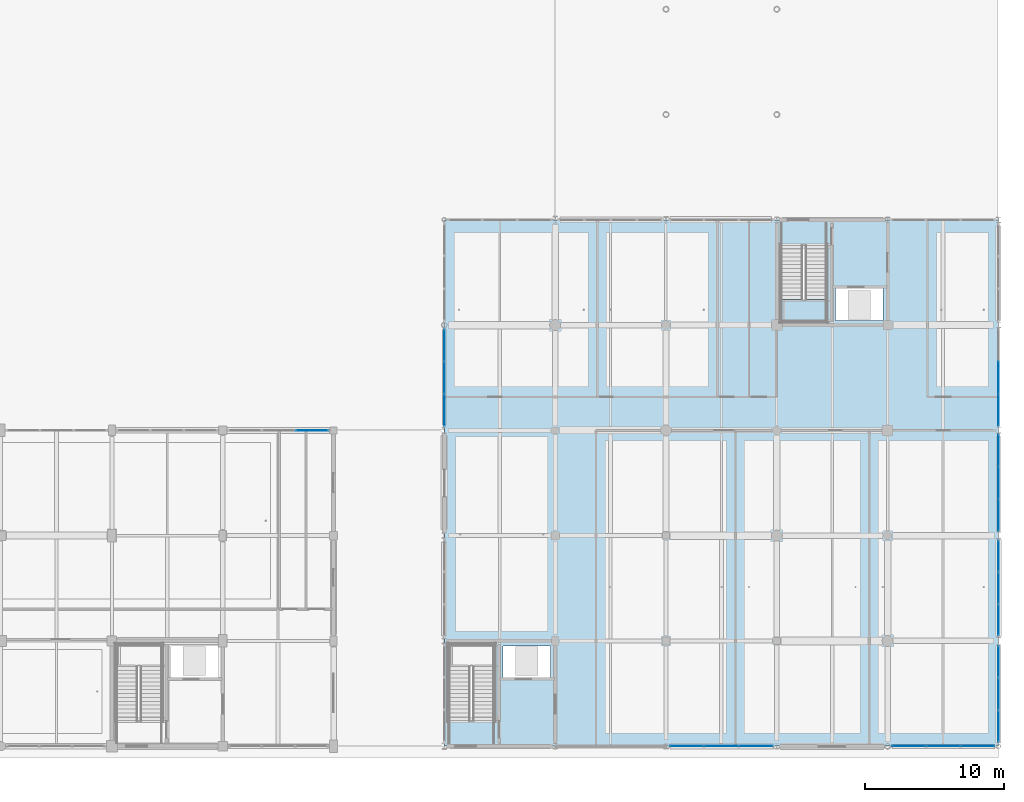
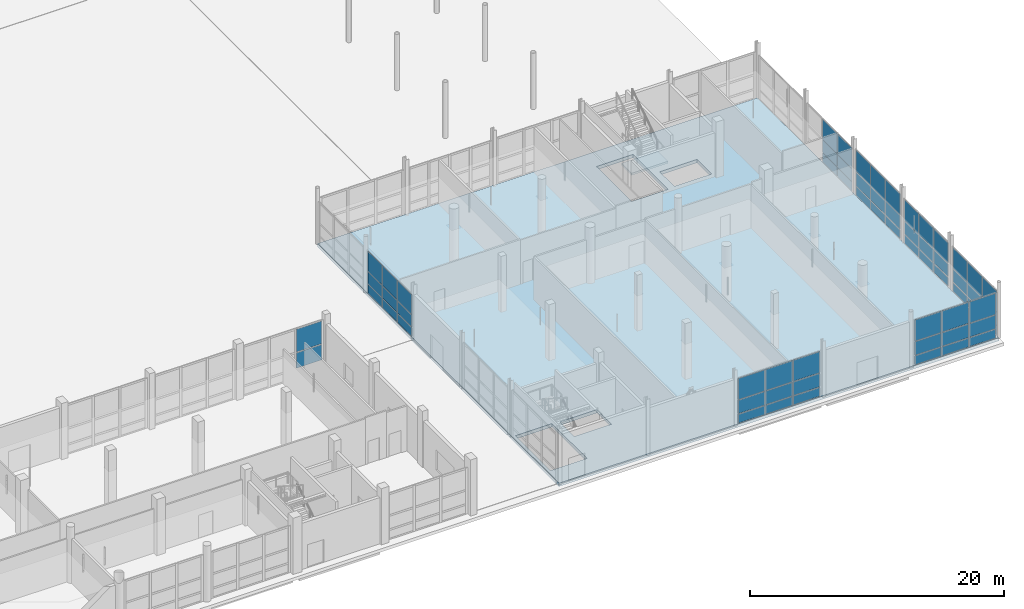
# One storey, part 52 of 126: 62 plates, 2 slabs, 9 elements without a shape of their own.
"""IFC4 building model written with IfcOpenShell, lengths in metres."""

from ifc_helpers import new_model, si_unit, direction, frame, origin, origin_2d, place, context, subcontext, project, spatial, polyline, rectangle, outline, extrude, material, layer, layer_set, type_object, element, aggregate, save


model = new_model("IFC4")

# Units and contexts
model_context = context("Model", 3, precision=1e-05, world=origin(), true_north=direction((0.0, 1.0)))
body_context = subcontext(model_context, "Body", "Model", "MODEL_VIEW")
ifc_project = project(units=[si_unit("LENGTHUNIT", "METRE"), si_unit("AREAUNIT", "SQUARE_METRE"), si_unit("VOLUMEUNIT", "CUBIC_METRE"), si_unit("PLANEANGLEUNIT", "RADIAN"), si_unit("MASSUNIT", "GRAM", prefix="KILO")], contexts=[model_context])

# Site, building, storey
site_placement = place(None, origin())
site = spatial("IfcSite", under=ifc_project, at=site_placement, CompositionType="ELEMENT")
building_placement = place(site_placement, origin())
building = spatial("IfcBuilding", under=site, at=building_placement, Name="Khelvaren Railside Concert Hall", CompositionType="ELEMENT")
storey_placement = place(building_placement, origin())
storey = spatial("IfcBuildingStorey", under=building, at=storey_placement, Name="L00", CompositionType="ELEMENT", Elevation=0.0)

# Curtain wall, plates
ifc_material_1 = material(Name="Triple-glazed solar-control glass", Category="glass")
curtain_wall_type_1 = type_object("IfcCurtainWallType", Name="CW88", PredefinedType="USERDEFINED", material=ifc_material_1)
curtain_wall_1_placement = place(storey_placement, origin())
curtain_wall_1 = element("IfcCurtainWall", 1, at=curtain_wall_1_placement, inside=storey, type_object=curtain_wall_type_1, Name="Unitised Curtain Wall CW-V2-L00-S-160", ObjectType="UNITISED CURTAIN WALL", PredefinedType="USERDEFINED")
ifc_layer_1 = layer(ifc_material_1, 0.035888671875)
ifc_layer_set_1 = layer_set([ifc_layer_1], Name="Triple-glazed solar-control glass")
plate_type_1 = type_object("IfcPlateType", Name="CWP53", PredefinedType="CURTAIN_PANEL", material=ifc_layer_set_1)
plate_1_placement = place(storey_placement, frame((166.49951171875, 0.0, 0.074951171875), z_axis=(0.0, 0.0, 1.0), x_axis=(-1.0, 0.0, 0.0)))
plate_1 = element("IfcPlate", 2, at=plate_1_placement, type_object=plate_type_1, Name="CW88 panel 1.1", PredefinedType="CURTAIN_PANEL", context=body_context, shape_type="SweptSolid", body=[
    extrude(rectangle(XDim=2.40576171875, YDim=0.035888671875, at=origin_2d()), origin(), (0.0, 0.0, 1.0), 0.83740234375),
])
plate_2_placement = place(storey_placement, frame((166.49951171875, 0.0, 0.987548828125), z_axis=(0.0, 0.0, 1.0), x_axis=(-1.0, 0.0, 0.0)))
plate_2 = element("IfcPlate", 3, at=plate_2_placement, type_object=plate_type_1, Name="CW88 panel 1.2", PredefinedType="CURTAIN_PANEL", context=body_context, shape_type="SweptSolid", body=[
    extrude(rectangle(XDim=2.40576171875, YDim=0.035888671875, at=origin_2d()), origin(), (0.0, 0.0, 1.0), 1.28369140625),
])
plate_3_placement = place(storey_placement, frame((166.49951171875, 0.0, 2.34619140625), z_axis=(0.0, 0.0, 1.0), x_axis=(-1.0, 0.0, 0.0)))
plate_3 = element("IfcPlate", 4, at=plate_3_placement, type_object=plate_type_1, Name="CW88 panel 1.3", PredefinedType="CURTAIN_PANEL", context=body_context, shape_type="SweptSolid", body=[
    extrude(rectangle(XDim=2.40576171875, YDim=0.035888671875, at=origin_2d()), origin(), (0.0, 0.0, 1.0), 2.018798828125),
])
plate_4_placement = place(storey_placement, frame((164.0, 0.0, 0.074951171875), z_axis=(0.0, 0.0, 1.0), x_axis=(-1.0, 0.0, 0.0)))
plate_4 = element("IfcPlate", 5, at=plate_4_placement, type_object=plate_type_1, Name="CW88 panel 2.1", PredefinedType="CURTAIN_PANEL", context=body_context, shape_type="SweptSolid", body=[
    extrude(rectangle(XDim=2.443359375, YDim=0.035888671875, at=origin_2d()), origin(), (0.0, 0.0, 1.0), 0.83740234375),
])
plate_5_placement = place(storey_placement, frame((164.0, 0.0, 0.987548828125), z_axis=(0.0, 0.0, 1.0), x_axis=(-1.0, 0.0, 0.0)))
plate_5 = element("IfcPlate", 6, at=plate_5_placement, type_object=plate_type_1, Name="CW88 panel 2.2", PredefinedType="CURTAIN_PANEL", context=body_context, shape_type="SweptSolid", body=[
    extrude(rectangle(XDim=2.443359375, YDim=0.035888671875, at=origin_2d()), origin(), (0.0, 0.0, 1.0), 1.28369140625),
])
plate_6_placement = place(storey_placement, frame((164.0, 0.0, 2.34619140625), z_axis=(0.0, 0.0, 1.0), x_axis=(-1.0, 0.0, 0.0)))
plate_6 = element("IfcPlate", 7, at=plate_6_placement, type_object=plate_type_1, Name="CW88 panel 2.3", PredefinedType="CURTAIN_PANEL", context=body_context, shape_type="SweptSolid", body=[
    extrude(rectangle(XDim=2.443359375, YDim=0.035888671875, at=origin_2d()), origin(), (0.0, 0.0, 1.0), 2.018798828125),
])
plate_7_placement = place(storey_placement, frame((161.50048828125, 0.0, 0.074951171875), z_axis=(0.0, 0.0, 1.0), x_axis=(-1.0, 0.0, 0.0)))
plate_7 = element("IfcPlate", 8, at=plate_7_placement, type_object=plate_type_1, Name="CW88 panel 3.1", PredefinedType="CURTAIN_PANEL", context=body_context, shape_type="SweptSolid", body=[
    extrude(rectangle(XDim=2.40576171875, YDim=0.035888671875, at=origin_2d()), origin(), (0.0, 0.0, 1.0), 0.83740234375),
])
plate_8_placement = place(storey_placement, frame((161.50048828125, 0.0, 0.987548828125), z_axis=(0.0, 0.0, 1.0), x_axis=(-1.0, 0.0, 0.0)))
plate_8 = element("IfcPlate", 9, at=plate_8_placement, type_object=plate_type_1, Name="CW88 panel 3.2", PredefinedType="CURTAIN_PANEL", context=body_context, shape_type="SweptSolid", body=[
    extrude(rectangle(XDim=2.40576171875, YDim=0.035888671875, at=origin_2d()), origin(), (0.0, 0.0, 1.0), 1.28369140625),
])
plate_9_placement = place(storey_placement, frame((161.50048828125, 0.0, 2.34619140625), z_axis=(0.0, 0.0, 1.0), x_axis=(-1.0, 0.0, 0.0)))
plate_9 = element("IfcPlate", 10, at=plate_9_placement, type_object=plate_type_1, Name="CW88 panel 3.3", PredefinedType="CURTAIN_PANEL", context=body_context, shape_type="SweptSolid", body=[
    extrude(rectangle(XDim=2.40576171875, YDim=0.035888671875, at=origin_2d()), origin(), (0.0, 0.0, 1.0), 2.018798828125),
])
aggregate(curtain_wall_1, [plate_1, plate_2, plate_3, plate_4, plate_5, plate_6, plate_7, plate_8, plate_9])

curtain_wall_type_2 = type_object("IfcCurtainWallType", Name="CW14", PredefinedType="USERDEFINED", material=ifc_material_1)
curtain_wall_2_placement = place(storey_placement, origin())
curtain_wall_2 = element("IfcCurtainWall", 11, at=curtain_wall_2_placement, inside=storey, type_object=curtain_wall_type_2, Name="Unitised Curtain Wall CW-V2-L00-S-176", ObjectType="UNITISED CURTAIN WALL", PredefinedType="USERDEFINED")
plate_10_placement = place(storey_placement, frame((182.49853515625, 0.0, 0.074951171875), z_axis=(0.0, 0.0, 1.0), x_axis=(-1.0, 0.0, 0.0)))
plate_10 = element("IfcPlate", 12, at=plate_10_placement, type_object=plate_type_1, Name="CW14 panel 1.1", PredefinedType="CURTAIN_PANEL", context=body_context, shape_type="SweptSolid", body=[
    extrude(rectangle(XDim=2.384033203125, YDim=0.035888671875, at=origin_2d()), origin(), (0.0, 0.0, 1.0), 0.83740234375),
])
plate_11_placement = place(storey_placement, frame((182.49853515625, 0.0, 0.987548828125), z_axis=(0.0, 0.0, 1.0), x_axis=(-1.0, 0.0, 0.0)))
plate_11 = element("IfcPlate", 13, at=plate_11_placement, type_object=plate_type_1, Name="CW14 panel 1.2", PredefinedType="CURTAIN_PANEL", context=body_context, shape_type="SweptSolid", body=[
    extrude(rectangle(XDim=2.384033203125, YDim=0.035888671875, at=origin_2d()), origin(), (0.0, 0.0, 1.0), 1.28369140625),
])
plate_12_placement = place(storey_placement, frame((182.49853515625, 0.0, 2.34619140625), z_axis=(0.0, 0.0, 1.0), x_axis=(-1.0, 0.0, 0.0)))
plate_12 = element("IfcPlate", 14, at=plate_12_placement, type_object=plate_type_1, Name="CW14 panel 1.3", PredefinedType="CURTAIN_PANEL", context=body_context, shape_type="SweptSolid", body=[
    extrude(rectangle(XDim=2.384033203125, YDim=0.035888671875, at=origin_2d()), origin(), (0.0, 0.0, 1.0), 2.018798828125),
])
plate_13_placement = place(storey_placement, frame((180.0205078125, 0.0, 0.074951171875), z_axis=(0.0, 0.0, 1.0), x_axis=(-1.0, 0.0, 0.0)))
plate_13 = element("IfcPlate", 15, at=plate_13_placement, type_object=plate_type_1, Name="CW14 panel 2.1", PredefinedType="CURTAIN_PANEL", context=body_context, shape_type="SweptSolid", body=[
    extrude(rectangle(XDim=2.421630859375, YDim=0.035888671875, at=origin_2d()), origin(), (0.0, 0.0, 1.0), 0.83740234375),
])
plate_14_placement = place(storey_placement, frame((180.0205078125, 0.0, 0.987548828125), z_axis=(0.0, 0.0, 1.0), x_axis=(-1.0, 0.0, 0.0)))
plate_14 = element("IfcPlate", 16, at=plate_14_placement, type_object=plate_type_1, Name="CW14 panel 2.2", PredefinedType="CURTAIN_PANEL", context=body_context, shape_type="SweptSolid", body=[
    extrude(rectangle(XDim=2.421630859375, YDim=0.035888671875, at=origin_2d()), origin(), (0.0, 0.0, 1.0), 1.28369140625),
])
plate_15_placement = place(storey_placement, frame((180.0205078125, 0.0, 2.34619140625), z_axis=(0.0, 0.0, 1.0), x_axis=(-1.0, 0.0, 0.0)))
plate_15 = element("IfcPlate", 17, at=plate_15_placement, type_object=plate_type_1, Name="CW14 panel 2.3", PredefinedType="CURTAIN_PANEL", context=body_context, shape_type="SweptSolid", body=[
    extrude(rectangle(XDim=2.421630859375, YDim=0.035888671875, at=origin_2d()), origin(), (0.0, 0.0, 1.0), 2.018798828125),
])
plate_16_placement = place(storey_placement, frame((177.542724609375, 0.0, 0.074951171875), z_axis=(0.0, 0.0, 1.0), x_axis=(-1.0, 0.0, 0.0)))
plate_16 = element("IfcPlate", 18, at=plate_16_placement, type_object=plate_type_1, Name="CW14 panel 3.1", PredefinedType="CURTAIN_PANEL", context=body_context, shape_type="SweptSolid", body=[
    extrude(rectangle(XDim=2.384033203125, YDim=0.035888671875, at=origin_2d()), origin(), (0.0, 0.0, 1.0), 0.83740234375),
])
plate_17_placement = place(storey_placement, frame((177.542724609375, 0.0, 0.987548828125), z_axis=(0.0, 0.0, 1.0), x_axis=(-1.0, 0.0, 0.0)))
plate_17 = element("IfcPlate", 19, at=plate_17_placement, type_object=plate_type_1, Name="CW14 panel 3.2", PredefinedType="CURTAIN_PANEL", context=body_context, shape_type="SweptSolid", body=[
    extrude(rectangle(XDim=2.384033203125, YDim=0.035888671875, at=origin_2d()), origin(), (0.0, 0.0, 1.0), 1.28369140625),
])
plate_18_placement = place(storey_placement, frame((177.542724609375, 0.0, 2.34619140625), z_axis=(0.0, 0.0, 1.0), x_axis=(-1.0, 0.0, 0.0)))
plate_18 = element("IfcPlate", 20, at=plate_18_placement, type_object=plate_type_1, Name="CW14 panel 3.3", PredefinedType="CURTAIN_PANEL", context=body_context, shape_type="SweptSolid", body=[
    extrude(rectangle(XDim=2.384033203125, YDim=0.035888671875, at=origin_2d()), origin(), (0.0, 0.0, 1.0), 2.018798828125),
])
aggregate(curtain_wall_2, [plate_10, plate_11, plate_12, plate_13, plate_14, plate_15, plate_16, plate_17, plate_18])

curtain_wall_type_3 = type_object("IfcCurtainWallType", Name="CW80", PredefinedType="USERDEFINED", material=ifc_material_1)
curtain_wall_3_placement = place(storey_placement, origin())
curtain_wall_3 = element("IfcCurtainWall", 21, at=curtain_wall_3_placement, inside=storey, type_object=curtain_wall_type_3, Name="Unitised Curtain Wall CW-V2-L00-E-0", ObjectType="UNITISED CURTAIN WALL", PredefinedType="USERDEFINED")
plate_19_placement = place(storey_placement, frame((184.0, 6.0849609375, 0.074951171875), z_axis=(0.0, 0.0, 1.0), x_axis=(0.0, -1.0, 0.0)))
plate_19 = element("IfcPlate", 22, at=plate_19_placement, type_object=plate_type_1, Name="CW80 panel 1.1", PredefinedType="CURTAIN_PANEL", context=body_context, shape_type="SweptSolid", body=[
    extrude(rectangle(XDim=2.235107421875, YDim=0.035888671875, at=origin_2d()), origin(), (0.0, 0.0, 1.0), 0.83740234375),
])
plate_20_placement = place(storey_placement, frame((184.0, 6.0849609375, 0.98779296875), z_axis=(0.0, 0.0, 1.0), x_axis=(0.0, -1.0, 0.0)))
plate_20 = element("IfcPlate", 23, at=plate_20_placement, type_object=plate_type_1, Name="CW80 panel 1.2", PredefinedType="CURTAIN_PANEL", context=body_context, shape_type="SweptSolid", body=[
    extrude(rectangle(XDim=2.235107421875, YDim=0.035888671875, at=origin_2d()), origin(), (0.0, 0.0, 1.0), 1.231689453125),
])
plate_21_placement = place(storey_placement, frame((184.0, 6.0849609375, 2.294189453125), z_axis=(0.0, 0.0, 1.0), x_axis=(0.0, -1.0, 0.0)))
plate_21 = element("IfcPlate", 24, at=plate_21_placement, type_object=plate_type_1, Name="CW80 panel 1.3", PredefinedType="CURTAIN_PANEL", context=body_context, shape_type="SweptSolid", body=[
    extrude(rectangle(XDim=2.235107421875, YDim=0.035888671875, at=origin_2d()), origin(), (0.0, 0.0, 1.0), 1.970703125),
])
plate_22_placement = place(storey_placement, frame((184.0, 3.756103515625, 0.074951171875), z_axis=(0.0, 0.0, 1.0), x_axis=(0.0, -1.0, 0.0)))
plate_22 = element("IfcPlate", 25, at=plate_22_placement, type_object=plate_type_1, Name="CW80 panel 2.1", PredefinedType="CURTAIN_PANEL", context=body_context, shape_type="SweptSolid", body=[
    extrude(rectangle(XDim=2.272705078125, YDim=0.035888671875, at=origin_2d()), origin(), (0.0, 0.0, 1.0), 0.83740234375),
])
plate_23_placement = place(storey_placement, frame((184.0, 3.756103515625, 0.98779296875), z_axis=(0.0, 0.0, 1.0), x_axis=(0.0, -1.0, 0.0)))
plate_23 = element("IfcPlate", 26, at=plate_23_placement, type_object=plate_type_1, Name="CW80 panel 2.2", PredefinedType="CURTAIN_PANEL", context=body_context, shape_type="SweptSolid", body=[
    extrude(rectangle(XDim=2.272705078125, YDim=0.035888671875, at=origin_2d()), origin(), (0.0, 0.0, 1.0), 1.231689453125),
])
plate_24_placement = place(storey_placement, frame((184.0, 3.756103515625, 2.294189453125), z_axis=(0.0, 0.0, 1.0), x_axis=(0.0, -1.0, 0.0)))
plate_24 = element("IfcPlate", 27, at=plate_24_placement, type_object=plate_type_1, Name="CW80 panel 2.3", PredefinedType="CURTAIN_PANEL", context=body_context, shape_type="SweptSolid", body=[
    extrude(rectangle(XDim=2.272705078125, YDim=0.035888671875, at=origin_2d()), origin(), (0.0, 0.0, 1.0), 1.970703125),
])
plate_25_placement = place(storey_placement, frame((184.0, 1.427001953125, 0.074951171875), z_axis=(0.0, 0.0, 1.0), x_axis=(0.0, -1.0, 0.0)))
plate_25 = element("IfcPlate", 28, at=plate_25_placement, type_object=plate_type_1, Name="CW80 panel 3.1", PredefinedType="CURTAIN_PANEL", context=body_context, shape_type="SweptSolid", body=[
    extrude(rectangle(XDim=2.235107421875, YDim=0.035888671875, at=origin_2d()), origin(), (0.0, 0.0, 1.0), 0.83740234375),
])
plate_26_placement = place(storey_placement, frame((184.0, 1.427001953125, 0.98779296875), z_axis=(0.0, 0.0, 1.0), x_axis=(0.0, -1.0, 0.0)))
plate_26 = element("IfcPlate", 29, at=plate_26_placement, type_object=plate_type_1, Name="CW80 panel 3.2", PredefinedType="CURTAIN_PANEL", context=body_context, shape_type="SweptSolid", body=[
    extrude(rectangle(XDim=2.235107421875, YDim=0.035888671875, at=origin_2d()), origin(), (0.0, 0.0, 1.0), 1.231689453125),
])
plate_27_placement = place(storey_placement, frame((184.0, 1.427001953125, 2.294189453125), z_axis=(0.0, 0.0, 1.0), x_axis=(0.0, -1.0, 0.0)))
plate_27 = element("IfcPlate", 30, at=plate_27_placement, type_object=plate_type_1, Name="CW80 panel 3.3", PredefinedType="CURTAIN_PANEL", context=body_context, shape_type="SweptSolid", body=[
    extrude(rectangle(XDim=2.235107421875, YDim=0.035888671875, at=origin_2d()), origin(), (0.0, 0.0, 1.0), 1.970703125),
])
aggregate(curtain_wall_3, [plate_19, plate_20, plate_21, plate_22, plate_23, plate_24, plate_25, plate_26, plate_27])

curtain_wall_type_4 = type_object("IfcCurtainWallType", Name="CW41", PredefinedType="USERDEFINED", material=ifc_material_1)
curtain_wall_4_placement = place(storey_placement, origin())
curtain_wall_4 = element("IfcCurtainWall", 31, at=curtain_wall_4_placement, inside=storey, type_object=curtain_wall_type_4, Name="Unitised Curtain Wall CW-V2-L00-E-8", ObjectType="UNITISED CURTAIN WALL", PredefinedType="USERDEFINED")
plate_28_placement = place(storey_placement, frame((184.0, 13.720458984375, 0.074951171875), z_axis=(0.0, 0.0, 1.0), x_axis=(0.0, -1.0, 0.0)))
plate_28 = element("IfcPlate", 32, at=plate_28_placement, type_object=plate_type_1, Name="CW41 panel 1.1", PredefinedType="CURTAIN_PANEL", context=body_context, shape_type="SweptSolid", body=[
    extrude(rectangle(XDim=2.214111328125, YDim=0.035888671875, at=origin_2d()), origin(), (0.0, 0.0, 1.0), 0.83740234375),
])
plate_29_placement = place(storey_placement, frame((184.0, 13.720458984375, 0.98779296875), z_axis=(0.0, 0.0, 1.0), x_axis=(0.0, -1.0, 0.0)))
plate_29 = element("IfcPlate", 33, at=plate_29_placement, type_object=plate_type_1, Name="CW41 panel 1.2", PredefinedType="CURTAIN_PANEL", context=body_context, shape_type="SweptSolid", body=[
    extrude(rectangle(XDim=2.214111328125, YDim=0.035888671875, at=origin_2d()), origin(), (0.0, 0.0, 1.0), 1.231689453125),
])
plate_30_placement = place(storey_placement, frame((184.0, 13.720458984375, 2.294189453125), z_axis=(0.0, 0.0, 1.0), x_axis=(0.0, -1.0, 0.0)))
plate_30 = element("IfcPlate", 34, at=plate_30_placement, type_object=plate_type_1, Name="CW41 panel 1.3", PredefinedType="CURTAIN_PANEL", context=body_context, shape_type="SweptSolid", body=[
    extrude(rectangle(XDim=2.214111328125, YDim=0.035888671875, at=origin_2d()), origin(), (0.0, 0.0, 1.0), 1.970703125),
])
plate_31_placement = place(storey_placement, frame((184.0, 11.41259765625, 0.074951171875), z_axis=(0.0, 0.0, 1.0), x_axis=(0.0, -1.0, 0.0)))
plate_31 = element("IfcPlate", 35, at=plate_31_placement, type_object=plate_type_1, Name="CW41 panel 2.1", PredefinedType="CURTAIN_PANEL", context=body_context, shape_type="SweptSolid", body=[
    extrude(rectangle(XDim=2.251708984375, YDim=0.035888671875, at=origin_2d()), origin(), (0.0, 0.0, 1.0), 0.83740234375),
])
plate_32_placement = place(storey_placement, frame((184.0, 11.41259765625, 0.98779296875), z_axis=(0.0, 0.0, 1.0), x_axis=(0.0, -1.0, 0.0)))
plate_32 = element("IfcPlate", 36, at=plate_32_placement, type_object=plate_type_1, Name="CW41 panel 2.2", PredefinedType="CURTAIN_PANEL", context=body_context, shape_type="SweptSolid", body=[
    extrude(rectangle(XDim=2.251708984375, YDim=0.035888671875, at=origin_2d()), origin(), (0.0, 0.0, 1.0), 1.231689453125),
])
plate_33_placement = place(storey_placement, frame((184.0, 11.41259765625, 2.294189453125), z_axis=(0.0, 0.0, 1.0), x_axis=(0.0, -1.0, 0.0)))
plate_33 = element("IfcPlate", 37, at=plate_33_placement, type_object=plate_type_1, Name="CW41 panel 2.3", PredefinedType="CURTAIN_PANEL", context=body_context, shape_type="SweptSolid", body=[
    extrude(rectangle(XDim=2.251708984375, YDim=0.035888671875, at=origin_2d()), origin(), (0.0, 0.0, 1.0), 1.970703125),
])
plate_34_placement = place(storey_placement, frame((184.0, 9.1044921875, 0.074951171875), z_axis=(0.0, 0.0, 1.0), x_axis=(0.0, -1.0, 0.0)))
plate_34 = element("IfcPlate", 38, at=plate_34_placement, type_object=plate_type_1, Name="CW41 panel 3.1", PredefinedType="CURTAIN_PANEL", context=body_context, shape_type="SweptSolid", body=[
    extrude(rectangle(XDim=2.214111328125, YDim=0.035888671875, at=origin_2d()), origin(), (0.0, 0.0, 1.0), 0.83740234375),
])
plate_35_placement = place(storey_placement, frame((184.0, 9.1044921875, 0.98779296875), z_axis=(0.0, 0.0, 1.0), x_axis=(0.0, -1.0, 0.0)))
plate_35 = element("IfcPlate", 39, at=plate_35_placement, type_object=plate_type_1, Name="CW41 panel 3.2", PredefinedType="CURTAIN_PANEL", context=body_context, shape_type="SweptSolid", body=[
    extrude(rectangle(XDim=2.214111328125, YDim=0.035888671875, at=origin_2d()), origin(), (0.0, 0.0, 1.0), 1.231689453125),
])
plate_36_placement = place(storey_placement, frame((184.0, 9.1044921875, 2.294189453125), z_axis=(0.0, 0.0, 1.0), x_axis=(0.0, -1.0, 0.0)))
plate_36 = element("IfcPlate", 40, at=plate_36_placement, type_object=plate_type_1, Name="CW41 panel 3.3", PredefinedType="CURTAIN_PANEL", context=body_context, shape_type="SweptSolid", body=[
    extrude(rectangle(XDim=2.214111328125, YDim=0.035888671875, at=origin_2d()), origin(), (0.0, 0.0, 1.0), 1.970703125),
])
aggregate(curtain_wall_4, [plate_28, plate_29, plate_30, plate_31, plate_32, plate_33, plate_34, plate_35, plate_36])

curtain_wall_5_placement = place(storey_placement, origin())
curtain_wall_5 = element("IfcCurtainWall", 41, at=curtain_wall_5_placement, inside=storey, type_object=curtain_wall_type_2, Name="Unitised Curtain Wall CW-V3-L00-N-128", ObjectType="UNITISED CURTAIN WALL", PredefinedType="USERDEFINED")
plate_37_placement = place(storey_placement, frame((134.441162109375, 22.800048828125, 0.9873046875), z_axis=(0.0, 0.0, 1.0), x_axis=(1.0, 0.0, 0.0)))
plate_37 = element("IfcPlate", 42, at=plate_37_placement, type_object=plate_type_1, Name="CW14 panel 3.2", PredefinedType="CURTAIN_PANEL", context=body_context, shape_type="SweptSolid", body=[
    extrude(rectangle(XDim=2.322509765625, YDim=0.035888671875, at=origin_2d()), origin(), (0.0, 0.0, 1.0), 1.470947265625),
])
plate_38_placement = place(storey_placement, frame((134.441162109375, 22.800048828125, 2.533447265625), z_axis=(0.0, 0.0, 1.0), x_axis=(1.0, 0.0, 0.0)))
plate_38 = element("IfcPlate", 43, at=plate_38_placement, type_object=plate_type_1, Name="CW14 panel 3.3", PredefinedType="CURTAIN_PANEL", context=body_context, shape_type="SweptSolid", body=[
    extrude(rectangle(XDim=2.322509765625, YDim=0.035888671875, at=origin_2d()), origin(), (0.0, 0.0, 1.0), 2.19140625),
])
aggregate(curtain_wall_5, [plate_37, plate_38])

ifc_material_2 = material(Name="Double-glazed low-E dark acoustic glass", Category="glass")
curtain_wall_type_5 = type_object("IfcCurtainWallType", Name="CW94", PredefinedType="USERDEFINED", material=ifc_material_2)
curtain_wall_6_placement = place(storey_placement, origin())
curtain_wall_6 = element("IfcCurtainWall", 44, at=curtain_wall_6_placement, inside=storey, type_object=curtain_wall_type_5, Name="Unitised Curtain Wall CW-V2-L00-W-23", ObjectType="UNITISED CURTAIN WALL", PredefinedType="USERDEFINED")
ifc_layer_2 = layer(ifc_material_2, 0.031982421875)
ifc_layer_set_2 = layer_set([ifc_layer_2], Name="Double-glazed low-E dark acoustic glass")
plate_type_2 = type_object("IfcPlateType", Name="CWP84", PredefinedType="CURTAIN_PANEL", material=ifc_layer_set_2)
plate_39_placement = place(storey_placement, frame((144.0, 24.256591796875, 0.06494140625), z_axis=(0.0, 0.0, 1.0), x_axis=(0.0, 1.0, 0.0)))
plate_39 = element("IfcPlate", 45, at=plate_39_placement, type_object=plate_type_2, Name="CW94 panel 1.1", PredefinedType="CURTAIN_PANEL", context=body_context, shape_type="SweptSolid", body=[
    extrude(rectangle(XDim=2.258056640625, YDim=0.031982421875, at=origin_2d()), origin(), (0.0, 0.0, 1.0), 0.8525390625),
])
plate_40_placement = place(storey_placement, frame((144.0, 24.256591796875, 0.982666015625), z_axis=(0.0, 0.0, 1.0), x_axis=(0.0, 1.0, 0.0)))
plate_40 = element("IfcPlate", 46, at=plate_40_placement, type_object=plate_type_2, Name="CW94 panel 1.2", PredefinedType="CURTAIN_PANEL", context=body_context, shape_type="SweptSolid", body=[
    extrude(rectangle(XDim=2.258056640625, YDim=0.031982421875, at=origin_2d()), origin(), (0.0, 0.0, 1.0), 1.1376953125),
])
plate_41_placement = place(storey_placement, frame((144.0, 24.256591796875, 2.185302734375), z_axis=(0.0, 0.0, 1.0), x_axis=(0.0, 1.0, 0.0)))
plate_41 = element("IfcPlate", 47, at=plate_41_placement, type_object=plate_type_2, Name="CW94 panel 1.3", PredefinedType="CURTAIN_PANEL", context=body_context, shape_type="SweptSolid", body=[
    extrude(rectangle(XDim=2.258056640625, YDim=0.031982421875, at=origin_2d()), origin(), (0.0, 0.0, 1.0), 1.8896484375),
])
plate_42_placement = place(storey_placement, frame((144.0, 26.595947265625, 0.06494140625), z_axis=(0.0, 0.0, 1.0), x_axis=(0.0, 1.0, 0.0)))
plate_42 = element("IfcPlate", 48, at=plate_42_placement, type_object=plate_type_2, Name="CW94 panel 2.1", PredefinedType="CURTAIN_PANEL", context=body_context, shape_type="SweptSolid", body=[
    extrude(rectangle(XDim=2.29052734375, YDim=0.031982421875, at=origin_2d()), origin(), (0.0, 0.0, 1.0), 0.8525390625),
])
plate_43_placement = place(storey_placement, frame((144.0, 26.595947265625, 0.982666015625), z_axis=(0.0, 0.0, 1.0), x_axis=(0.0, 1.0, 0.0)))
plate_43 = element("IfcPlate", 49, at=plate_43_placement, type_object=plate_type_2, Name="CW94 panel 2.2", PredefinedType="CURTAIN_PANEL", context=body_context, shape_type="SweptSolid", body=[
    extrude(rectangle(XDim=2.29052734375, YDim=0.031982421875, at=origin_2d()), origin(), (0.0, 0.0, 1.0), 1.1376953125),
])
plate_44_placement = place(storey_placement, frame((144.0, 26.595947265625, 2.185302734375), z_axis=(0.0, 0.0, 1.0), x_axis=(0.0, 1.0, 0.0)))
plate_44 = element("IfcPlate", 50, at=plate_44_placement, type_object=plate_type_2, Name="CW94 panel 2.3", PredefinedType="CURTAIN_PANEL", context=body_context, shape_type="SweptSolid", body=[
    extrude(rectangle(XDim=2.29052734375, YDim=0.031982421875, at=origin_2d()), origin(), (0.0, 0.0, 1.0), 1.8896484375),
])
plate_45_placement = place(storey_placement, frame((144.0, 28.935302734375, 0.06494140625), z_axis=(0.0, 0.0, 1.0), x_axis=(0.0, 1.0, 0.0)))
plate_45 = element("IfcPlate", 51, at=plate_45_placement, type_object=plate_type_2, Name="CW94 panel 3.1", PredefinedType="CURTAIN_PANEL", context=body_context, shape_type="SweptSolid", body=[
    extrude(rectangle(XDim=2.258056640625, YDim=0.031982421875, at=origin_2d()), origin(), (0.0, 0.0, 1.0), 0.8525390625),
])
plate_46_placement = place(storey_placement, frame((144.0, 28.935302734375, 0.982666015625), z_axis=(0.0, 0.0, 1.0), x_axis=(0.0, 1.0, 0.0)))
plate_46 = element("IfcPlate", 52, at=plate_46_placement, type_object=plate_type_2, Name="CW94 panel 3.2", PredefinedType="CURTAIN_PANEL", context=body_context, shape_type="SweptSolid", body=[
    extrude(rectangle(XDim=2.258056640625, YDim=0.031982421875, at=origin_2d()), origin(), (0.0, 0.0, 1.0), 1.1376953125),
])
plate_47_placement = place(storey_placement, frame((144.0, 28.935302734375, 2.185302734375), z_axis=(0.0, 0.0, 1.0), x_axis=(0.0, 1.0, 0.0)))
plate_47 = element("IfcPlate", 53, at=plate_47_placement, type_object=plate_type_2, Name="CW94 panel 3.3", PredefinedType="CURTAIN_PANEL", context=body_context, shape_type="SweptSolid", body=[
    extrude(rectangle(XDim=2.258056640625, YDim=0.031982421875, at=origin_2d()), origin(), (0.0, 0.0, 1.0), 1.8896484375),
])
aggregate(curtain_wall_6, [plate_39, plate_40, plate_41, plate_42, plate_43, plate_44, plate_45, plate_46, plate_47])

curtain_wall_7_placement = place(storey_placement, origin())
curtain_wall_7 = element("IfcCurtainWall", 54, at=curtain_wall_7_placement, inside=storey, type_object=curtain_wall_type_5, Name="Unitised Curtain Wall CW-V2-L00-E-15", ObjectType="UNITISED CURTAIN WALL", PredefinedType="USERDEFINED")
plate_48_placement = place(storey_placement, frame((184.0, 21.343017578125, 0.06494140625), z_axis=(0.0, 0.0, 1.0), x_axis=(0.0, -1.0, 0.0)))
plate_48 = element("IfcPlate", 55, at=plate_48_placement, type_object=plate_type_2, Name="CW94 panel 1.1", PredefinedType="CURTAIN_PANEL", context=body_context, shape_type="SweptSolid", body=[
    extrude(rectangle(XDim=2.249267578125, YDim=0.031982421875, at=origin_2d()), origin(), (0.0, 0.0, 1.0), 0.8525390625),
])
plate_49_placement = place(storey_placement, frame((184.0, 21.343017578125, 0.982421875), z_axis=(0.0, 0.0, 1.0), x_axis=(0.0, -1.0, 0.0)))
plate_49 = element("IfcPlate", 56, at=plate_49_placement, type_object=plate_type_2, Name="CW94 panel 1.2", PredefinedType="CURTAIN_PANEL", context=body_context, shape_type="SweptSolid", body=[
    extrude(rectangle(XDim=2.249267578125, YDim=0.031982421875, at=origin_2d()), origin(), (0.0, 0.0, 1.0), 1.293701171875),
])
plate_50_placement = place(storey_placement, frame((184.0, 21.343017578125, 2.34130859375), z_axis=(0.0, 0.0, 1.0), x_axis=(0.0, -1.0, 0.0)))
plate_50 = element("IfcPlate", 57, at=plate_50_placement, type_object=plate_type_2, Name="CW94 panel 1.3", PredefinedType="CURTAIN_PANEL", context=body_context, shape_type="SweptSolid", body=[
    extrude(rectangle(XDim=2.249267578125, YDim=0.031982421875, at=origin_2d()), origin(), (0.0, 0.0, 1.0), 2.03369140625),
])
plate_51_placement = place(storey_placement, frame((184.0, 19.012451171875, 0.06494140625), z_axis=(0.0, 0.0, 1.0), x_axis=(0.0, -1.0, 0.0)))
plate_51 = element("IfcPlate", 58, at=plate_51_placement, type_object=plate_type_2, Name="CW94 panel 2.1", PredefinedType="CURTAIN_PANEL", context=body_context, shape_type="SweptSolid", body=[
    extrude(rectangle(XDim=2.28173828125, YDim=0.031982421875, at=origin_2d()), origin(), (0.0, 0.0, 1.0), 0.8525390625),
])
plate_52_placement = place(storey_placement, frame((184.0, 19.012451171875, 0.982421875), z_axis=(0.0, 0.0, 1.0), x_axis=(0.0, -1.0, 0.0)))
plate_52 = element("IfcPlate", 59, at=plate_52_placement, type_object=plate_type_2, Name="CW94 panel 2.2", PredefinedType="CURTAIN_PANEL", context=body_context, shape_type="SweptSolid", body=[
    extrude(rectangle(XDim=2.28173828125, YDim=0.031982421875, at=origin_2d()), origin(), (0.0, 0.0, 1.0), 1.293701171875),
])
plate_53_placement = place(storey_placement, frame((184.0, 19.012451171875, 2.34130859375), z_axis=(0.0, 0.0, 1.0), x_axis=(0.0, -1.0, 0.0)))
plate_53 = element("IfcPlate", 60, at=plate_53_placement, type_object=plate_type_2, Name="CW94 panel 2.3", PredefinedType="CURTAIN_PANEL", context=body_context, shape_type="SweptSolid", body=[
    extrude(rectangle(XDim=2.28173828125, YDim=0.031982421875, at=origin_2d()), origin(), (0.0, 0.0, 1.0), 2.03369140625),
])
plate_54_placement = place(storey_placement, frame((184.0, 16.68212890625, 0.06494140625), z_axis=(0.0, 0.0, 1.0), x_axis=(0.0, -1.0, 0.0)))
plate_54 = element("IfcPlate", 61, at=plate_54_placement, type_object=plate_type_2, Name="CW94 panel 3.1", PredefinedType="CURTAIN_PANEL", context=body_context, shape_type="SweptSolid", body=[
    extrude(rectangle(XDim=2.249267578125, YDim=0.031982421875, at=origin_2d()), origin(), (0.0, 0.0, 1.0), 0.8525390625),
])
plate_55_placement = place(storey_placement, frame((184.0, 16.68212890625, 0.982421875), z_axis=(0.0, 0.0, 1.0), x_axis=(0.0, -1.0, 0.0)))
plate_55 = element("IfcPlate", 62, at=plate_55_placement, type_object=plate_type_2, Name="CW94 panel 3.2", PredefinedType="CURTAIN_PANEL", context=body_context, shape_type="SweptSolid", body=[
    extrude(rectangle(XDim=2.249267578125, YDim=0.031982421875, at=origin_2d()), origin(), (0.0, 0.0, 1.0), 1.293701171875),
])
plate_56_placement = place(storey_placement, frame((184.0, 16.68212890625, 2.34130859375), z_axis=(0.0, 0.0, 1.0), x_axis=(0.0, -1.0, 0.0)))
plate_56 = element("IfcPlate", 63, at=plate_56_placement, type_object=plate_type_2, Name="CW94 panel 3.3", PredefinedType="CURTAIN_PANEL", context=body_context, shape_type="SweptSolid", body=[
    extrude(rectangle(XDim=2.249267578125, YDim=0.031982421875, at=origin_2d()), origin(), (0.0, 0.0, 1.0), 2.03369140625),
])
aggregate(curtain_wall_7, [plate_48, plate_49, plate_50, plate_51, plate_52, plate_53, plate_54, plate_55, plate_56])

curtain_wall_type_6 = type_object("IfcCurtainWallType", Name="CW65", PredefinedType="USERDEFINED", material=ifc_material_2)
curtain_wall_8_placement = place(storey_placement, origin())
curtain_wall_8 = element("IfcCurtainWall", 64, at=curtain_wall_8_placement, inside=storey, type_object=curtain_wall_type_6, Name="Unitised Curtain Wall CW-V2-L00-E-23", ObjectType="UNITISED CURTAIN WALL", PredefinedType="USERDEFINED")
plate_57_placement = place(storey_placement, frame((184.0, 26.610107421875, 0.06494140625), z_axis=(0.0, 0.0, 1.0), x_axis=(0.0, -1.0, 0.0)))
plate_57 = element("IfcPlate", 65, at=plate_57_placement, type_object=plate_type_2, Name="CW65 panel 2.1", PredefinedType="CURTAIN_PANEL", context=body_context, shape_type="SweptSolid", body=[
    extrude(rectangle(XDim=2.296630859375, YDim=0.031982421875, at=origin_2d()), origin(), (0.0, 0.0, 1.0), 0.8525390625),
])
plate_58_placement = place(storey_placement, frame((184.0, 26.610107421875, 0.982421875), z_axis=(0.0, 0.0, 1.0), x_axis=(0.0, -1.0, 0.0)))
plate_58 = element("IfcPlate", 66, at=plate_58_placement, type_object=plate_type_2, Name="CW65 panel 2.2", PredefinedType="CURTAIN_PANEL", context=body_context, shape_type="SweptSolid", body=[
    extrude(rectangle(XDim=2.296630859375, YDim=0.031982421875, at=origin_2d()), origin(), (0.0, 0.0, 1.0), 1.189697265625),
])
plate_59_placement = place(storey_placement, frame((184.0, 26.610107421875, 2.2373046875), z_axis=(0.0, 0.0, 1.0), x_axis=(0.0, -1.0, 0.0)))
plate_59 = element("IfcPlate", 67, at=plate_59_placement, type_object=plate_type_2, Name="CW65 panel 2.3", PredefinedType="CURTAIN_PANEL", context=body_context, shape_type="SweptSolid", body=[
    extrude(rectangle(XDim=2.296630859375, YDim=0.031982421875, at=origin_2d()), origin(), (0.0, 0.0, 1.0), 1.937744140625),
])
plate_60_placement = place(storey_placement, frame((184.0, 24.2646484375, 0.06494140625), z_axis=(0.0, 0.0, 1.0), x_axis=(0.0, -1.0, 0.0)))
plate_60 = element("IfcPlate", 68, at=plate_60_placement, type_object=plate_type_2, Name="CW65 panel 3.1", PredefinedType="CURTAIN_PANEL", context=body_context, shape_type="SweptSolid", body=[
    extrude(rectangle(XDim=2.26416015625, YDim=0.031982421875, at=origin_2d()), origin(), (0.0, 0.0, 1.0), 0.8525390625),
])
plate_61_placement = place(storey_placement, frame((184.0, 24.2646484375, 0.982421875), z_axis=(0.0, 0.0, 1.0), x_axis=(0.0, -1.0, 0.0)))
plate_61 = element("IfcPlate", 69, at=plate_61_placement, type_object=plate_type_2, Name="CW65 panel 3.2", PredefinedType="CURTAIN_PANEL", context=body_context, shape_type="SweptSolid", body=[
    extrude(rectangle(XDim=2.26416015625, YDim=0.031982421875, at=origin_2d()), origin(), (0.0, 0.0, 1.0), 1.189697265625),
])
plate_62_placement = place(storey_placement, frame((184.0, 24.2646484375, 2.2373046875), z_axis=(0.0, 0.0, 1.0), x_axis=(0.0, -1.0, 0.0)))
plate_62 = element("IfcPlate", 70, at=plate_62_placement, type_object=plate_type_2, Name="CW65 panel 3.3", PredefinedType="CURTAIN_PANEL", context=body_context, shape_type="SweptSolid", body=[
    extrude(rectangle(XDim=2.26416015625, YDim=0.031982421875, at=origin_2d()), origin(), (0.0, 0.0, 1.0), 1.937744140625),
])
aggregate(curtain_wall_8, [plate_57, plate_58, plate_59, plate_60, plate_61, plate_62])

# Slab
ifc_material_3 = material(Name="Concrete C40/50", Category="concrete")
ifc_layer_3 = layer(ifc_material_3, 0.320068359375)
ifc_layer_set_3 = layer_set([ifc_layer_3], Name="Concrete C40/50")
slab_type_1 = type_object("IfcSlabType", Name="FS29", PredefinedType="FLOOR", material=ifc_layer_set_3)
slab_1_placement = place(storey_placement, frame((0.0, 0.0, -0.320068359375)))
element("IfcSlab", 71, at=slab_1_placement, inside=storey, type_object=slab_type_1, Name="V2 L00 Structural Floor Slab", PredefinedType="FLOOR", context=body_context, shape_type="SweptSolid", body=[
    extrude(outline(polyline([(144.0, 0.0), (184.0, 0.0), (184.0, 38.0), (144.0, 38.0), (144.0, 0.0)]), holes=[polyline([(147.6201171875, 1.840087890625), (147.6201171875, 7.360107421875), (144.300048828125, 7.360107421875), (144.300048828125, 1.840087890625), (147.6201171875, 1.840087890625)]), polyline([(148.25, 4.949951171875), (151.64990234375, 4.949951171875), (151.64990234375, 7.25), (148.25, 7.25), (148.25, 4.949951171875)]), polyline([(168.300048828125, 36.159912109375), (168.300048828125, 30.639892578125), (171.6201171875, 30.639892578125), (171.6201171875, 36.159912109375), (168.300048828125, 36.159912109375)]), polyline([(172.25, 30.75), (175.64990234375, 30.75), (175.64990234375, 33.050048828125), (172.25, 33.050048828125), (172.25, 30.75)])]), origin(), (0.0, 0.0, 1.0), 0.320068359375),
])

# Stair, slab
stair_type = type_object("IfcStairType", Name="ST11", PredefinedType="HALF_TURN_STAIR", material=ifc_material_3)
stair_placement = place(storey_placement, origin())
stair = element("IfcStair", 72, at=stair_placement, inside=storey, type_object=stair_type, Name="L00 Core Exit Stair ST-04", PredefinedType="HALF_TURN_STAIR")
ifc_layer_4 = layer(ifc_material_3, 0.199951171875)
ifc_layer_set_4 = layer_set([ifc_layer_4], Name="Concrete C40/50")
slab_type_2 = type_object("IfcSlabType", Name="LND67", PredefinedType="LANDING", material=ifc_layer_set_4)
slab_2_placement = place(storey_placement, frame((0.0, 0.0, 2.5)))
slab_2 = element("IfcSlab", 73, at=slab_2_placement, type_object=slab_type_2, Name="ST-04 landing 1", PredefinedType="LANDING", context=body_context, shape_type="SweptSolid", body=[
    extrude(outline(polyline([(168.300048828125, 32.239990234375), (168.300048828125, 30.639892578125), (171.6201171875, 30.639892578125), (171.6201171875, 32.239990234375), (168.300048828125, 32.239990234375)])), origin(), (0.0, 0.0, 1.0), 0.199951171875),
])
aggregate(stair, [slab_2])

save(model, "model.ifc")
